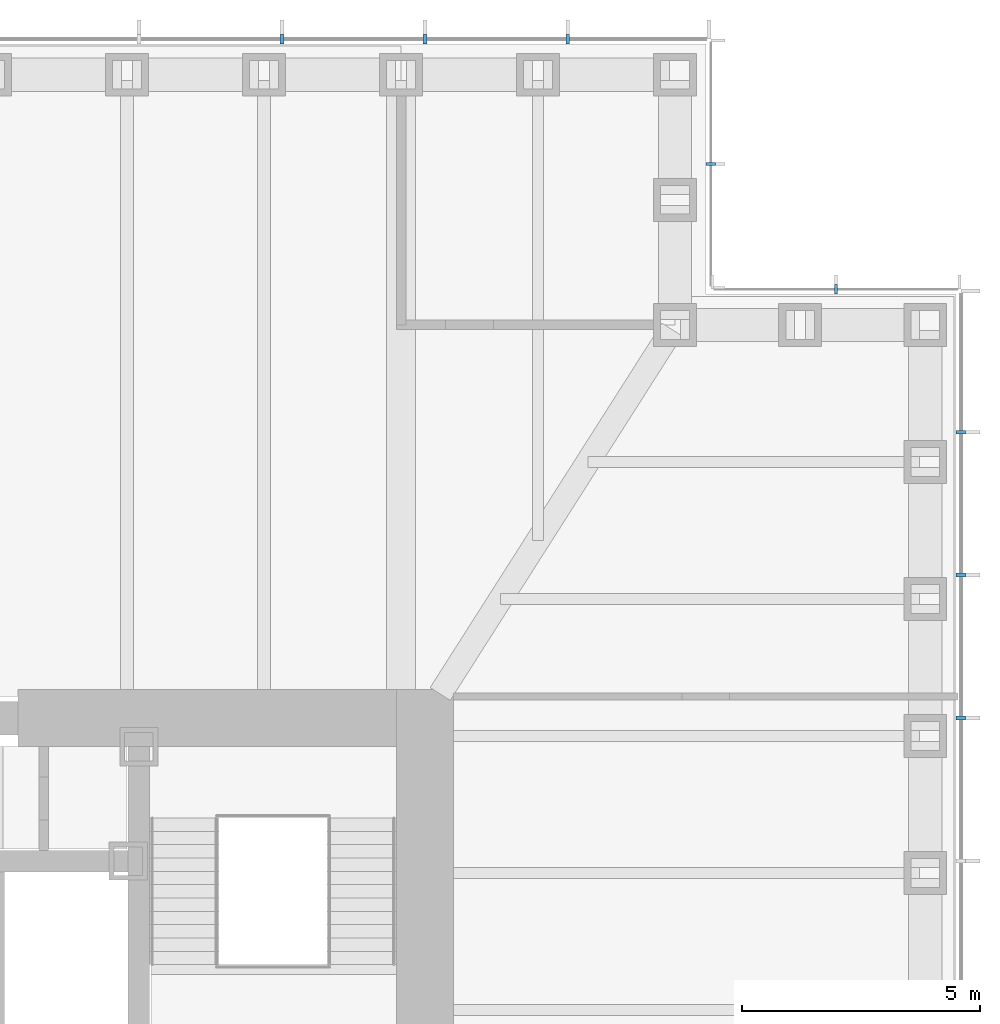
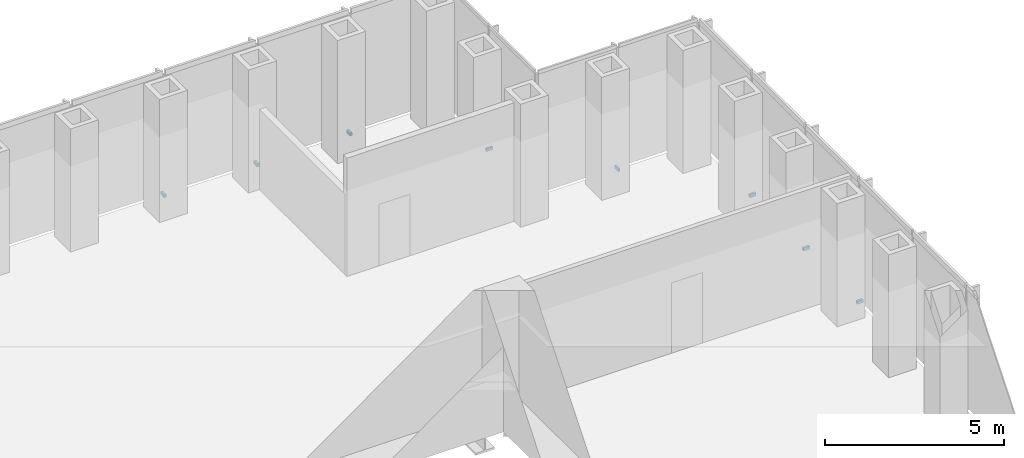
# One storey, part 15 of 16: 8 discrete accessories.
"""IFC4 building model written with IfcOpenShell, lengths in metres."""

from ifc_helpers import new_model, si_unit, direction, frame, origin, origin_2d, place, context, subcontext, project, spatial, rectangle, extrude, element, save


model = new_model("IFC4")

# Units and contexts
model_context = context("Model", 3, precision=1e-05, world=origin(), true_north=direction((0.0, 1.0)))
body_context = subcontext(model_context, "Body", "Model", "MODEL_VIEW")
ifc_project = project(units=[si_unit("LENGTHUNIT", "METRE"), si_unit("AREAUNIT", "SQUARE_METRE"), si_unit("VOLUMEUNIT", "CUBIC_METRE"), si_unit("PLANEANGLEUNIT", "RADIAN"), si_unit("MASSUNIT", "GRAM", prefix="KILO")], contexts=[model_context])

# Site, building, storey
site_placement = place(None, origin())
site = spatial("IfcSite", under=ifc_project, at=site_placement, CompositionType="ELEMENT")
building_placement = place(site_placement, origin())
building = spatial("IfcBuilding", under=site, at=building_placement, Name="Daluyong Arena Tower", CompositionType="ELEMENT")
storey_placement = place(building_placement, frame((0.0, 0.0, 116.5)))
storey = spatial("IfcBuildingStorey", under=building, at=storey_placement, Name="L25", CompositionType="ELEMENT", Elevation=116.5)

# Discrete accessories
for number, where, z_axis, x_axis, name in (
    (1, (79.25, 89.0, -0.10009765625), (0.0, 0.0, 1.0), (0.0, 1.0, 0.0), "curtain wall L25 E anchor bracket 10"),
    (2, (79.25, 92.0, -0.10009765625), (0.0, 0.0, 1.0), (0.0, 1.0, 0.0), "curtain wall L25 E anchor bracket 11"),
    (3, (79.25, 95.0, -0.10009765625), (0.0, 0.0, 1.0), (0.0, 1.0, 0.0), "curtain wall L25 E anchor bracket 12"),
):
    element("IfcDiscreteAccessory", number, at=place(storey_placement, frame(where, z_axis=z_axis, x_axis=x_axis)), inside=storey, Name=name, PredefinedType="BRACKET", context=body_context, shape_type="SweptSolid", body=[
        extrude(rectangle(XDim=0.080078125, YDim=0.199951171875, at=origin_2d()), origin(), (0.0, 0.0, 1.0), 0.10009765625),
    ])
for number, where, z_axis, x_axis, name in (
    (4, (76.625, 98.0, -0.10009765625), (0.0, 0.0, 1.0), (-1.0, 0.0, 0.0), "curtain wall L25 NE-N anchor bracket 2"),
    (5, (74.0, 100.625, -0.10009765625), (0.0, 0.0, 1.0), (0.0, 1.0, 0.0), "curtain wall L25 NE-E anchor bracket 2"),
):
    element("IfcDiscreteAccessory", number, at=place(storey_placement, frame(where, z_axis=z_axis, x_axis=x_axis)), inside=storey, Name=name, PredefinedType="BRACKET", context=body_context, shape_type="SweptSolid", body=[
        extrude(rectangle(XDim=0.06005859375, YDim=0.199951171875, at=origin_2d()), origin(), (0.0, 0.0, 1.0), 0.10009765625),
    ])
for number, where, z_axis, x_axis, name in (
    (6, (71.0, 103.25, -0.10009765625), (0.0, 0.0, 1.0), (-1.0, 0.0, 0.0), "curtain wall L25 N anchor bracket 2"),
    (7, (68.0, 103.25, -0.10009765625), (0.0, 0.0, 1.0), (-1.0, 0.0, 0.0), "curtain wall L25 N anchor bracket 3"),
    (8, (65.0, 103.25, -0.10009765625), (0.0, 0.0, 1.0), (-1.0, 0.0, 0.0), "curtain wall L25 N anchor bracket 4"),
):
    element("IfcDiscreteAccessory", number, at=place(storey_placement, frame(where, z_axis=z_axis, x_axis=x_axis)), inside=storey, Name=name, PredefinedType="BRACKET", context=body_context, shape_type="SweptSolid", body=[
        extrude(rectangle(XDim=0.080078125, YDim=0.199951171875, at=origin_2d()), origin(), (0.0, 0.0, 1.0), 0.10009765625),
    ])

save(model, "model.ifc")
